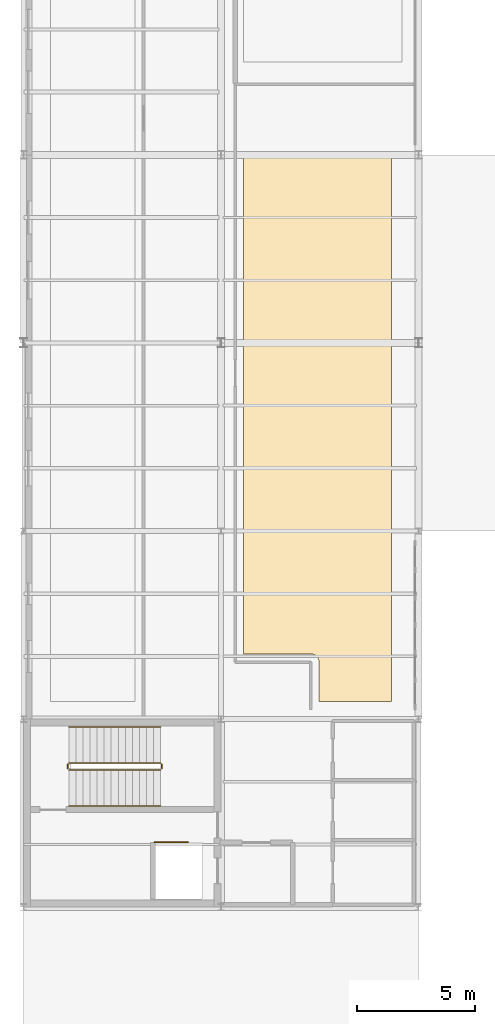
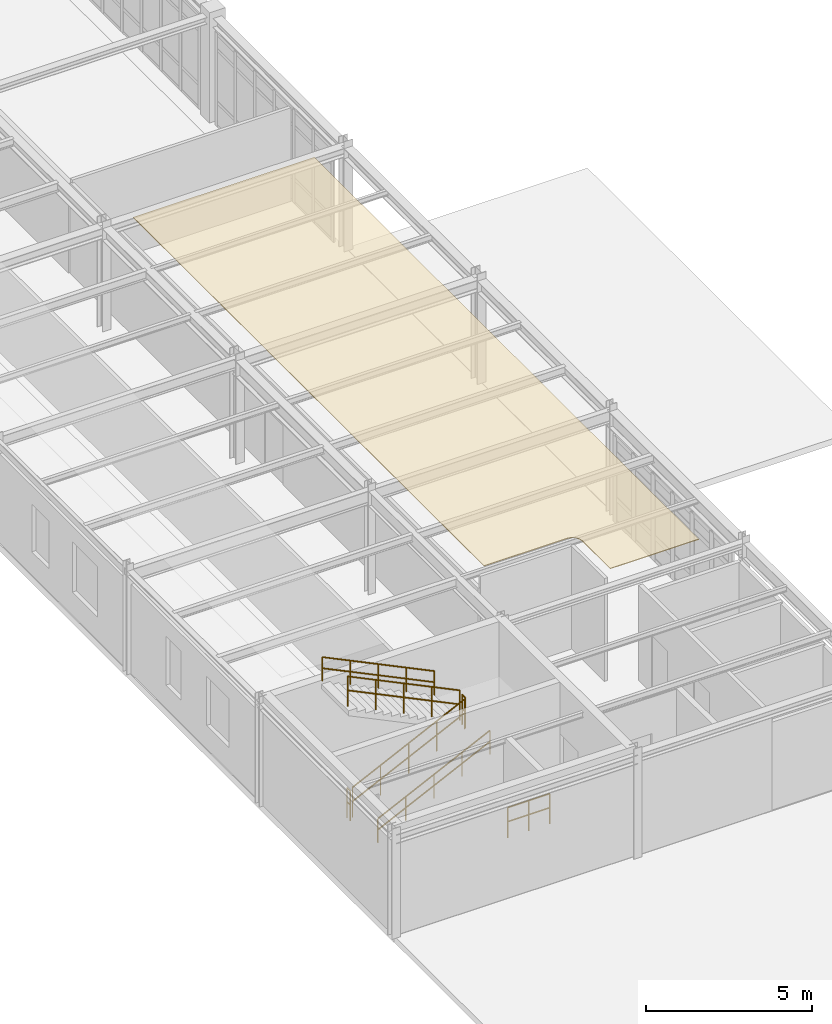
# One storey, part 51 of 58: 7 railings, 1 covering.
"""IFC4 building model written with IfcOpenShell, lengths in metres."""

from ifc_helpers import new_model, si_unit, derived_unit, direction, frame, origin, origin_2d, place, context, subcontext, project, spatial, polyline, circle, outline, extrude, material, layer, layer_set, type_object, element, save


model = new_model("IFC4")

# Units and contexts
model_context = context("Model", 3, precision=1e-05, world=origin(), true_north=direction((0.0, 1.0)))
body_context = subcontext(model_context, "Body", "Model", "MODEL_VIEW")
ifc_project = project(units=[si_unit("LENGTHUNIT", "METRE"), si_unit("AREAUNIT", "SQUARE_METRE"), si_unit("VOLUMEUNIT", "CUBIC_METRE"), si_unit("PLANEANGLEUNIT", "RADIAN"), si_unit("MASSUNIT", "GRAM", prefix="KILO"), derived_unit("THERMALTRANSMITTANCEUNIT", [(si_unit("POWERUNIT", "WATT"), 1), (si_unit("AREAUNIT", "SQUARE_METRE"), -1), (si_unit("THERMODYNAMICTEMPERATUREUNIT", "KELVIN"), -1)])], contexts=[model_context])

# Site, building, storey
site_placement = place(None, origin())
site = spatial("IfcSite", under=ifc_project, at=site_placement, CompositionType="ELEMENT")
building_placement = place(site_placement, origin())
building = spatial("IfcBuilding", under=site, at=building_placement, Name="Yasenodar Specialist Clinic", CompositionType="ELEMENT")
storey_placement = place(building_placement, frame((0.0, 0.0, 17.25)))
storey = spatial("IfcBuildingStorey", under=building, at=storey_placement, Name="L04", CompositionType="ELEMENT", Elevation=17.25)

# Covering
ifc_material_1 = material(Name="Hygienic Acoustic Mineral-Fibre Ceiling")
ifc_layer = layer(ifc_material_1, 0.02490234375)
ifc_layer_set = layer_set([ifc_layer], Name="Hygienic Acoustic Mineral-Fibre Ceiling")
covering_type = type_object("IfcCoveringType", Name="COV-CEIL-AC", PredefinedType="CEILING", material=ifc_layer_set)
covering_placement = place(storey_placement, frame((0.0, 0.0, 3.77490234375)))
element("IfcCovering", 1, at=covering_placement, inside=storey, type_object=covering_type, Name="L04 Urology Diagnostic Clinic Acoustic Ceiling", PredefinedType="CEILING", context=body_context, shape_type="SweptSolid", body=[
    extrude(outline(polyline([(15.64990234375, 43.550048828125), (12.570068359375, 43.550048828125), (12.570068359375, 45.219970703125), (12.568115234375, 45.25390625), (12.56298828125, 45.2880859375), (12.554931640625, 45.322021484375), (12.54296875, 45.35400390625), (12.529052734375, 45.385009765625), (12.510986328125, 45.4140625), (12.490966796875, 45.44189453125), (12.467041015625, 45.467041015625), (12.44189453125, 45.490966796875), (12.4140625, 45.510986328125), (12.385009765625, 45.529052734375), (12.35400390625, 45.54296875), (12.322021484375, 45.554931640625), (12.2880859375, 45.56298828125), (12.25390625, 45.568115234375), (12.219970703125, 45.570068359375), (9.35009765625, 45.570068359375), (9.35009765625, 66.699951171875), (15.64990234375, 66.699951171875), (15.64990234375, 43.550048828125)])), origin(), (0.0, 0.0, 1.0), 0.025146484375),
])

# Railings
ifc_material_2 = material(Name="Steel S355 Painted Guardrail", Category="steel")
railing_type_1 = type_object("IfcRailingType", Name="RL-GRD-1120", PredefinedType="GUARDRAIL", material=ifc_material_2)
railing_1_placement = place(storey_placement, frame((5.550048828125, 37.56005859375, 0.0)))
element("IfcRailing", 2, at=railing_1_placement, inside=storey, type_object=railing_type_1, Name="L04 Core C1 Lift LF-01 Shaft Guardrail", PredefinedType="GUARDRAIL", context=body_context, shape_type="SweptSolid", body=[
    extrude(circle(Radius=0.02392578125, at=origin_2d()), frame((0.0, 0.0, 1.09619140625), z_axis=(1.0, 0.0, 0.0), x_axis=(0.0, 1.0, 0.0)), (0.0, 0.0, 1.0), 1.4599609375),
    extrude(circle(Radius=0.02392578125, at=origin_2d()), frame((0.0, 0.0, 0.58251953125), z_axis=(1.0, 0.0, 0.0), x_axis=(0.0, 1.0, 0.0)), (0.0, 0.0, 1.0), 1.4599609375),
    extrude(circle(Radius=0.02099609375, at=origin_2d()), origin(), (0.0, 0.0, 1.0), 1.072021484375),
    extrude(circle(Radius=0.02099609375, at=origin_2d()), frame((0.72998046875, 0.0, 0.0)), (0.0, 0.0, 1.0), 1.072021484375),
    extrude(circle(Radius=0.02099609375, at=origin_2d()), frame((1.4599609375, 0.0, 0.0)), (0.0, 0.0, 1.0), 1.072021484375),
])
ifc_material_3 = material(Name="Steel S355 Painted Stair Guardrail", Category="steel")
railing_type_2 = type_object("IfcRailingType", Name="RL-ST-GRD", PredefinedType="GUARDRAIL", material=ifc_material_3)
railing_2_placement = place(storey_placement, frame((1.929931640625, 40.639892578125, 0.14453125)))
element("IfcRailing", 3, at=railing_2_placement, inside=storey, type_object=railing_type_2, Name="L04 ST-01 stair guard 1", PredefinedType="GUARDRAIL", context=body_context, shape_type="SweptSolid", body=[
    extrude(circle(Radius=0.02392578125, at=origin_2d()), frame((0.0, 0.0, 1.09619140625), z_axis=(0.900773802044, 0.0, 0.434288564841), x_axis=(0.0, 1.0, 0.0)), (0.0, 0.0, 1.0), 4.329833984375),
    extrude(circle(Radius=0.02392578125, at=origin_2d()), frame((0.0, 0.0, 0.58251953125), z_axis=(0.900773802044, 0.0, 0.434288564841), x_axis=(0.0, 1.0, 0.0)), (0.0, 0.0, 1.0), 4.329833984375),
    extrude(circle(Radius=0.02099609375, at=origin_2d()), origin(), (0.0, 0.0, 1.0), 1.072021484375),
    extrude(circle(Radius=0.02099609375, at=origin_2d()), frame((0.97509765625, 0.0, 0.47021484375)), (0.0, 0.0, 1.0), 1.072021484375),
    extrude(circle(Radius=0.02099609375, at=origin_2d()), frame((1.9501953125, 0.0, 0.940185546875)), (0.0, 0.0, 1.0), 1.072021484375),
    extrude(circle(Radius=0.02099609375, at=origin_2d()), frame((2.925048828125, 0.0, 1.41015625)), (0.0, 0.0, 1.0), 1.072021484375),
    extrude(circle(Radius=0.02099609375, at=origin_2d()), frame((3.900146484375, 0.0, 1.88037109375)), (0.0, 0.0, 1.0), 1.072021484375),
])
railing_3_placement = place(storey_placement, frame((5.8798828125, 40.68994140625, 2.02490234375)))
element("IfcRailing", 4, at=railing_3_placement, inside=storey, type_object=railing_type_2, Name="L04 ST-01 stair guard 2", PredefinedType="GUARDRAIL", context=body_context, shape_type="SweptSolid", body=[
    extrude(circle(Radius=0.02392578125, at=origin_2d()), frame((0.0, 0.0, 1.09619140625), z_axis=(0.0, 1.0, 0.0), x_axis=(-1.0, 0.0, 0.0)), (0.0, 0.0, 1.0), 0.18994140625),
    extrude(circle(Radius=0.02392578125, at=origin_2d()), frame((0.0, 0.0, 0.58251953125), z_axis=(0.0, 1.0, 0.0), x_axis=(-1.0, 0.0, 0.0)), (0.0, 0.0, 1.0), 0.18994140625),
    extrude(circle(Radius=0.02099609375, at=origin_2d()), origin(), (0.0, 0.0, 1.0), 1.072021484375),
    extrude(circle(Radius=0.02099609375, at=origin_2d()), frame((0.0, 0.18994140625, 0.0)), (0.0, 0.0, 1.0), 1.072021484375),
])
railing_4_placement = place(storey_placement, frame((5.830078125, 40.929931640625, 2.169677734375)))
element("IfcRailing", 5, at=railing_4_placement, inside=storey, type_object=railing_type_2, Name="L04 ST-01 stair guard 3", PredefinedType="GUARDRAIL", context=body_context, shape_type="SweptSolid", body=[
    extrude(circle(Radius=0.02392578125, at=origin_2d()), frame((0.0, 0.0, 1.09619140625), z_axis=(-0.900773802044, 0.0, 0.434288564841), x_axis=(0.0, -1.0, 0.0)), (0.0, 0.0, 1.0), 4.329833984375),
    extrude(circle(Radius=0.02392578125, at=origin_2d()), frame((0.0, 0.0, 0.58251953125), z_axis=(-0.900773802044, 0.0, 0.434288564841), x_axis=(0.0, -1.0, 0.0)), (0.0, 0.0, 1.0), 4.329833984375),
    extrude(circle(Radius=0.02099609375, at=origin_2d()), origin(), (0.0, 0.0, 1.0), 1.072021484375),
    extrude(circle(Radius=0.02099609375, at=origin_2d()), frame((-0.97509765625, 0.0, 0.47021484375)), (0.0, 0.0, 1.0), 1.072021484375),
    extrude(circle(Radius=0.02099609375, at=origin_2d()), frame((-1.9501953125, 0.0, 0.940185546875)), (0.0, 0.0, 1.0), 1.072021484375),
    extrude(circle(Radius=0.02099609375, at=origin_2d()), frame((-2.925048828125, 0.0, 1.41015625)), (0.0, 0.0, 1.0), 1.072021484375),
    extrude(circle(Radius=0.02099609375, at=origin_2d()), frame((-3.900146484375, 0.0, 1.88037109375)), (0.0, 0.0, 1.0), 1.072021484375),
])
railing_5_placement = place(storey_placement, frame((1.8798828125, 40.68994140625, 0.0)))
element("IfcRailing", 6, at=railing_5_placement, inside=storey, type_object=railing_type_2, Name="L04 ST-01 stair guard 4", PredefinedType="GUARDRAIL", context=body_context, shape_type="SweptSolid", body=[
    extrude(circle(Radius=0.02392578125, at=origin_2d()), frame((0.0, 0.0, 1.09619140625), z_axis=(0.0, 1.0, 0.0), x_axis=(-1.0, 0.0, 0.0)), (0.0, 0.0, 1.0), 0.18994140625),
    extrude(circle(Radius=0.02392578125, at=origin_2d()), frame((0.0, 0.0, 0.58251953125), z_axis=(0.0, 1.0, 0.0), x_axis=(-1.0, 0.0, 0.0)), (0.0, 0.0, 1.0), 0.18994140625),
    extrude(circle(Radius=0.02099609375, at=origin_2d()), origin(), (0.0, 0.0, 1.0), 1.072021484375),
    extrude(circle(Radius=0.02099609375, at=origin_2d()), frame((0.0, 0.18994140625, 0.0)), (0.0, 0.0, 1.0), 1.072021484375),
])
ifc_material_4 = material(Name="Brushed Stainless Steel Handrail", Category="steel")
railing_type_3 = type_object("IfcRailingType", Name="RL-ST-HND", PredefinedType="HANDRAIL", material=ifc_material_4)
railing_6_placement = place(storey_placement, frame((1.929931640625, 39.110107421875, 0.14453125)))
element("IfcRailing", 7, at=railing_6_placement, inside=storey, type_object=railing_type_3, Name="L04 ST-01 stair handrail 1", PredefinedType="HANDRAIL", context=body_context, shape_type="SweptSolid", body=[
    extrude(circle(Radius=0.02392578125, at=origin_2d()), frame((0.0, 0.0, 0.8759765625), z_axis=(0.900773802044, 0.0, 0.434288564841), x_axis=(0.0, 1.0, 0.0)), (0.0, 0.0, 1.0), 4.329833984375),
    extrude(circle(Radius=0.02392578125, at=origin_2d()), frame((0.0, 0.0, 0.468017578125), z_axis=(0.900773802044, 0.0, 0.434288564841), x_axis=(0.0, 1.0, 0.0)), (0.0, 0.0, 1.0), 4.329833984375),
    extrude(circle(Radius=0.02099609375, at=origin_2d()), origin(), (0.0, 0.0, 1.0), 0.851806640625),
    extrude(circle(Radius=0.02099609375, at=origin_2d()), frame((0.97509765625, 0.0, 0.47021484375)), (0.0, 0.0, 1.0), 0.851806640625),
    extrude(circle(Radius=0.02099609375, at=origin_2d()), frame((1.9501953125, 0.0, 0.940185546875)), (0.0, 0.0, 1.0), 0.851806640625),
    extrude(circle(Radius=0.02099609375, at=origin_2d()), frame((2.925048828125, 0.0, 1.41015625)), (0.0, 0.0, 1.0), 0.851806640625),
    extrude(circle(Radius=0.02099609375, at=origin_2d()), frame((3.900146484375, 0.0, 1.88037109375)), (0.0, 0.0, 1.0), 0.851806640625),
])
railing_7_placement = place(storey_placement, frame((5.830078125, 42.4599609375, 2.169677734375)))
element("IfcRailing", 8, at=railing_7_placement, inside=storey, type_object=railing_type_3, Name="L04 ST-01 stair handrail 2", PredefinedType="HANDRAIL", context=body_context, shape_type="SweptSolid", body=[
    extrude(circle(Radius=0.02392578125, at=origin_2d()), frame((0.0, 0.0, 0.8759765625), z_axis=(-0.900773802044, 0.0, 0.434288564841), x_axis=(0.0, -1.0, 0.0)), (0.0, 0.0, 1.0), 4.329833984375),
    extrude(circle(Radius=0.02392578125, at=origin_2d()), frame((0.0, 0.0, 0.468017578125), z_axis=(-0.900773802044, 0.0, 0.434288564841), x_axis=(0.0, -1.0, 0.0)), (0.0, 0.0, 1.0), 4.329833984375),
    extrude(circle(Radius=0.02099609375, at=origin_2d()), origin(), (0.0, 0.0, 1.0), 0.851806640625),
    extrude(circle(Radius=0.02099609375, at=origin_2d()), frame((-0.97509765625, 0.0, 0.47021484375)), (0.0, 0.0, 1.0), 0.851806640625),
    extrude(circle(Radius=0.02099609375, at=origin_2d()), frame((-1.9501953125, 0.0, 0.940185546875)), (0.0, 0.0, 1.0), 0.851806640625),
    extrude(circle(Radius=0.02099609375, at=origin_2d()), frame((-2.925048828125, 0.0, 1.41015625)), (0.0, 0.0, 1.0), 0.851806640625),
    extrude(circle(Radius=0.02099609375, at=origin_2d()), frame((-3.900146484375, 0.0, 1.88037109375)), (0.0, 0.0, 1.0), 0.851806640625),
])

save(model, "model.ifc")
